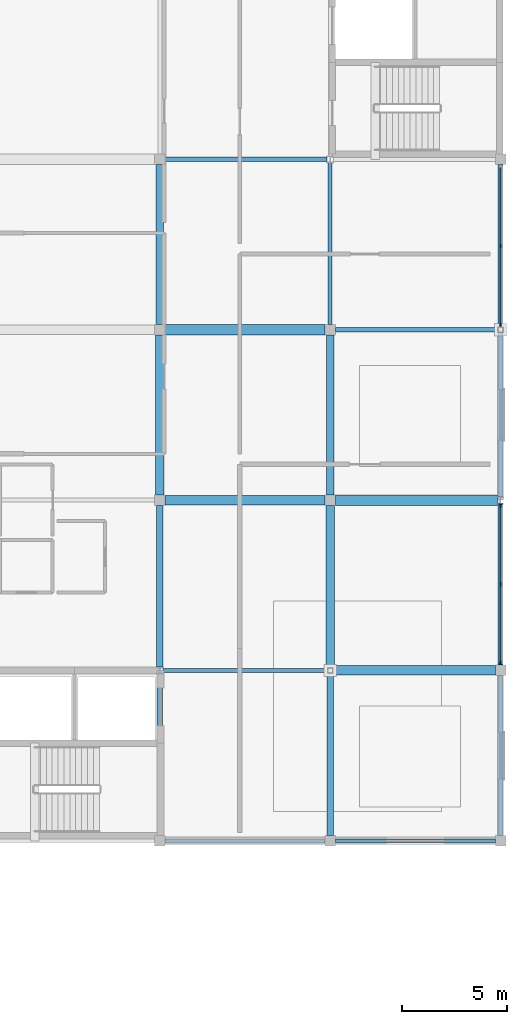
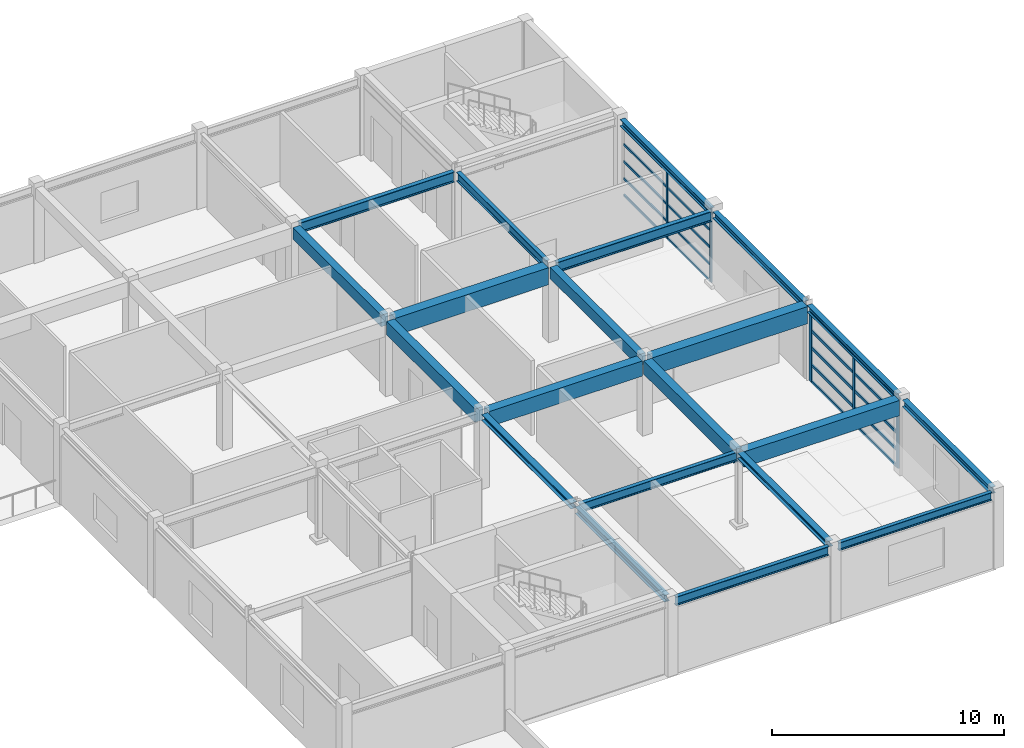
# One storey, part 33 of 54: 25 members, 21 beams, 2 elements without a shape of their own.
"""IFC4 building model written with IfcOpenShell, lengths in metres."""

from ifc_helpers import new_model, si_unit, direction, frame, origin, origin_2d, place, context, subcontext, project, spatial, rectangle, i_section, extrude, material, material_profile, profile_set, type_object, element, aggregate, save


model = new_model("IFC4")

# Units and contexts
model_context = context("Model", 3, precision=1e-05, world=origin(), true_north=direction((0.0, 1.0)))
body_context = subcontext(model_context, "Body", "Model", "MODEL_VIEW")
ifc_project = project(units=[si_unit("LENGTHUNIT", "METRE"), si_unit("AREAUNIT", "SQUARE_METRE"), si_unit("VOLUMEUNIT", "CUBIC_METRE"), si_unit("PLANEANGLEUNIT", "RADIAN"), si_unit("MASSUNIT", "GRAM", prefix="KILO")], contexts=[model_context])

# Site, building, storey
site_placement = place(None, origin())
site = spatial("IfcSite", under=ifc_project, at=site_placement, CompositionType="ELEMENT")
building_placement = place(site_placement, origin())
building = spatial("IfcBuilding", under=site, at=building_placement, Name="Parian Resonance Hall", CompositionType="ELEMENT")
storey_placement = place(building_placement, frame((0.0, 0.0, 15.0)))
storey = spatial("IfcBuildingStorey", under=building, at=storey_placement, Name="L03", CompositionType="ELEMENT", Elevation=15.0)

# Beams
ifc_material_1 = material(Name="Concrete C40/50", Category="concrete")
ifc_material_profile_1 = material_profile(ifc_material_1, rectangle(XDim=0.35009765625, YDim=0.60009765625, at=origin_2d()), Name="RC-BM-350x600")
ifc_profile_set_1 = profile_set([ifc_material_profile_1], Name="Concrete C40/50")
beam_type_1 = type_object("IfcBeamType", Name="BM-RC350x600", PredefinedType="BEAM", material=ifc_profile_set_1)
beam_1_placement = place(storey_placement, frame((129.60009765625, 73.14990234375, 3.64990234375), z_axis=(0.0, 1.0, 0.0), x_axis=(-1.0, 0.0, 0.0)))
element("IfcBeam", 1, at=beam_1_placement, inside=storey, type_object=beam_type_1, Name="GY-L03-0904", PredefinedType="BEAM", context=body_context, shape_type="SweptSolid", body=[
    extrude(rectangle(XDim=0.35009765625, YDim=0.60009765625, at=origin_2d()), origin(), (0.0, 0.0, 1.0), 7.60009765625),
])
beam_2_placement = place(storey_placement, frame((137.699951171875, 65.050048828125, 3.64990234375), z_axis=(0.0, 1.0, 0.0), x_axis=(-1.0, 0.0, 0.0)))
element("IfcBeam", 2, at=beam_2_placement, inside=storey, type_object=beam_type_1, Name="GY-L03-0908", PredefinedType="BEAM", context=body_context, shape_type="SweptSolid", body=[
    extrude(rectangle(XDim=0.35009765625, YDim=0.60009765625, at=origin_2d()), origin(), (0.0, 0.0, 1.0), 7.599853515625),
])
ifc_material_2 = material(Name="Concrete C40/50", Category="concrete")
ifc_material_profile_2 = material_profile(ifc_material_2, rectangle(XDim=0.39990234375, YDim=0.699951171875, at=origin_2d()), Name="RC-BM-400x700")
ifc_profile_set_2 = profile_set([ifc_material_profile_2], Name="Concrete C40/50")
beam_type_2 = type_object("IfcBeamType", Name="BM-RC400x700", PredefinedType="BEAM", material=ifc_profile_set_2)
beam_3_placement = place(storey_placement, frame((129.60009765625, 65.050048828125, 3.60009765625), z_axis=(0.0, 1.0, 0.0), x_axis=(-1.0, 0.0, 0.0)))
element("IfcBeam", 3, at=beam_3_placement, inside=storey, type_object=beam_type_2, Name="GY-L03-0903", PredefinedType="BEAM", context=body_context, shape_type="SweptSolid", body=[
    extrude(rectangle(XDim=0.39990234375, YDim=0.699951171875, at=origin_2d()), origin(), (0.0, 0.0, 1.0), 7.599853515625),
])
beam_4_placement = place(storey_placement, frame((137.699951171875, 56.824951171875, 3.60009765625), z_axis=(0.0, 1.0, 0.0), x_axis=(-1.0, 0.0, 0.0)))
element("IfcBeam", 4, at=beam_4_placement, inside=storey, type_object=beam_type_2, Name="GY-L03-0907", PredefinedType="BEAM", context=body_context, shape_type="SweptSolid", body=[
    extrude(rectangle(XDim=0.39990234375, YDim=0.699951171875, at=origin_2d()), origin(), (0.0, 0.0, 1.0), 7.72509765625),
])
ifc_material_3 = material(Name="Concrete C40/50", Category="concrete")
ifc_material_profile_3 = material_profile(ifc_material_3, rectangle(XDim=0.449951171875, YDim=0.800048828125, at=origin_2d()), Name="RC-BM-450x800")
ifc_profile_set_3 = profile_set([ifc_material_profile_3], Name="Concrete C40/50")
beam_type_3 = type_object("IfcBeamType", Name="BM-RC450x800", PredefinedType="USERDEFINED", material=ifc_profile_set_3)
beam_5_placement = place(storey_placement, frame((129.85009765625, 64.800048828125, 3.550048828125), z_axis=(1.0, 0.0, 0.0), x_axis=(0.0, 1.0, 0.0)))
element("IfcBeam", 5, at=beam_5_placement, inside=storey, type_object=beam_type_3, Name="GX-L03-0854", ObjectType="GIRDER", PredefinedType="USERDEFINED", context=body_context, shape_type="SweptSolid", body=[
    extrude(rectangle(XDim=0.449951171875, YDim=0.800048828125, at=origin_2d()), origin(), (0.0, 0.0, 1.0), 7.599853515625),
])
beam_6_placement = place(storey_placement, frame((137.824951171875, 56.699951171875, 3.550048828125), z_axis=(1.0, 0.0, 0.0), x_axis=(0.0, 1.0, 0.0)))
element("IfcBeam", 6, at=beam_6_placement, inside=storey, type_object=beam_type_3, Name="GX-L03-0859", ObjectType="GIRDER", PredefinedType="USERDEFINED", context=body_context, shape_type="SweptSolid", body=[
    extrude(rectangle(XDim=0.449951171875, YDim=0.800048828125, at=origin_2d()), origin(), (0.0, 0.0, 1.0), 7.72509765625),
])
ifc_material_4 = material(Name="Concrete C40/50", Category="concrete")
ifc_material_profile_4 = material_profile(ifc_material_4, rectangle(XDim=0.5, YDim=0.89990234375, at=origin_2d()), Name="RC-BM-500x900")
ifc_profile_set_4 = profile_set([ifc_material_profile_4], Name="Concrete C40/50")
beam_type_4 = type_object("IfcBeamType", Name="BM-RC500x900", PredefinedType="USERDEFINED", material=ifc_profile_set_4)
beam_7_placement = place(storey_placement, frame((129.85009765625, 72.89990234375, 3.5), z_axis=(1.0, 0.0, 0.0), x_axis=(0.0, 1.0, 0.0)))
element("IfcBeam", 7, at=beam_7_placement, inside=storey, type_object=beam_type_4, Name="GX-L03-0855", ObjectType="GIRDER", PredefinedType="USERDEFINED", context=body_context, shape_type="SweptSolid", body=[
    extrude(rectangle(XDim=0.5, YDim=0.89990234375, at=origin_2d()), origin(), (0.0, 0.0, 1.0), 7.599853515625),
])
beam_8_placement = place(storey_placement, frame((137.949951171875, 64.800048828125, 3.5), z_axis=(1.0, 0.0, 0.0), x_axis=(0.0, 1.0, 0.0)))
element("IfcBeam", 8, at=beam_8_placement, inside=storey, type_object=beam_type_4, Name="GX-L03-0860", ObjectType="GIRDER", PredefinedType="USERDEFINED", context=body_context, shape_type="SweptSolid", body=[
    extrude(rectangle(XDim=0.5, YDim=0.89990234375, at=origin_2d()), origin(), (0.0, 0.0, 1.0), 7.697509765625),
])
ifc_material_5 = material(Name="Steel S355", Category="steel")
ifc_material_profile_5 = material_profile(ifc_material_5, i_section(OverallWidth=0.304931640625, OverallDepth=0.30810546875, WebThickness=0.010009765625, FlangeThickness=0.015380859375, FilletRadius=0.01513671875, at=origin_2d()), Name="W310x97")
ifc_profile_set_5 = profile_set([ifc_material_profile_5], Name="Steel S355")
beam_type_5 = type_object("IfcBeamType", Name="BM-W310x97", PredefinedType="BEAM", material=ifc_profile_set_5)
beam_9_placement = place(storey_placement, frame((129.60009765625, 56.85400390625, 3.7958984375), z_axis=(0.0, 1.0, 0.0), x_axis=(-1.0, 0.0, 0.0)))
element("IfcBeam", 9, at=beam_9_placement, inside=storey, type_object=beam_type_5, Name="GY-L03-0902", PredefinedType="BEAM", context=body_context, shape_type="SweptSolid", body=[
    extrude(i_section(OverallWidth=0.304931640625, OverallDepth=0.30810546875, WebThickness=0.010009765625, FlangeThickness=0.015380859375, FilletRadius=0.01513671875, at=origin_2d()), origin(), (0.0, 0.0, 1.0), 7.696044921875),
])
beam_10_placement = place(storey_placement, frame((137.699951171875, 48.85009765625, 3.7958984375), z_axis=(0.0, 1.0, 0.0), x_axis=(-1.0, 0.0, 0.0)))
element("IfcBeam", 10, at=beam_10_placement, inside=storey, type_object=beam_type_5, Name="GY-L03-0906", PredefinedType="BEAM", context=body_context, shape_type="SweptSolid", body=[
    extrude(i_section(OverallWidth=0.304931640625, OverallDepth=0.30810546875, WebThickness=0.010009765625, FlangeThickness=0.015380859375, FilletRadius=0.01513671875, at=origin_2d()), origin(), (0.0, 0.0, 1.0), 7.724853515625),
])
ifc_material_6 = material(Name="Steel S355", Category="steel")
ifc_material_profile_6 = material_profile(ifc_material_6, i_section(OverallWidth=0.2548828125, OverallDepth=0.35693359375, WebThickness=0.010498046875, FlangeThickness=0.018310546875, FilletRadius=0.01513671875, at=origin_2d()), Name="W360x101")
ifc_profile_set_6 = profile_set([ifc_material_profile_6], Name="Steel S355")
beam_type_6 = type_object("IfcBeamType", Name="BM-W360x101", PredefinedType="SPANDREL", material=ifc_profile_set_6)
beam_11_placement = place(storey_placement, frame((129.60009765625, 48.85009765625, 3.771484375), z_axis=(0.0, 1.0, 0.0), x_axis=(-1.0, 0.0, 0.0)))
element("IfcBeam", 11, at=beam_11_placement, inside=storey, type_object=beam_type_6, Name="GY-L03-0901", PredefinedType="SPANDREL", context=body_context, shape_type="SweptSolid", body=[
    extrude(i_section(OverallWidth=0.2548828125, OverallDepth=0.35693359375, WebThickness=0.010498046875, FlangeThickness=0.018310546875, FilletRadius=0.01513671875, at=origin_2d()), origin(), (0.0, 0.0, 1.0), 7.69580078125),
])
beam_12_placement = place(storey_placement, frame((145.800048828125, 48.85009765625, 3.771484375), z_axis=(0.0, 1.0, 0.0), x_axis=(-1.0, 0.0, 0.0)))
element("IfcBeam", 12, at=beam_12_placement, inside=storey, type_object=beam_type_6, Name="GY-L03-0911", PredefinedType="SPANDREL", context=body_context, shape_type="SweptSolid", body=[
    extrude(i_section(OverallWidth=0.2548828125, OverallDepth=0.35693359375, WebThickness=0.010498046875, FlangeThickness=0.018310546875, FilletRadius=0.01513671875, at=origin_2d()), origin(), (0.0, 0.0, 1.0), 7.599853515625),
])
beam_13_placement = place(storey_placement, frame((145.800048828125, 56.949951171875, 3.771484375), z_axis=(0.0, 1.0, 0.0), x_axis=(-1.0, 0.0, 0.0)))
element("IfcBeam", 13, at=beam_13_placement, inside=storey, type_object=beam_type_6, Name="GY-L03-0912", PredefinedType="SPANDREL", context=body_context, shape_type="SweptSolid", body=[
    extrude(i_section(OverallWidth=0.2548828125, OverallDepth=0.35693359375, WebThickness=0.010498046875, FlangeThickness=0.018310546875, FilletRadius=0.01513671875, at=origin_2d()), origin(), (0.0, 0.0, 1.0), 7.696044921875),
])
beam_14_placement = place(storey_placement, frame((145.800048828125, 64.9541015625, 3.771484375), z_axis=(0.0, 1.0, 0.0), x_axis=(-1.0, 0.0, 0.0)))
element("IfcBeam", 14, at=beam_14_placement, inside=storey, type_object=beam_type_6, Name="GY-L03-0913", PredefinedType="SPANDREL", context=body_context, shape_type="SweptSolid", body=[
    extrude(i_section(OverallWidth=0.2548828125, OverallDepth=0.35693359375, WebThickness=0.010498046875, FlangeThickness=0.018310546875, FilletRadius=0.01513671875, at=origin_2d()), origin(), (0.0, 0.0, 1.0), 7.82080078125),
])
beam_15_placement = place(storey_placement, frame((145.800048828125, 73.02490234375, 3.771484375), z_axis=(0.0, 1.0, 0.0), x_axis=(-1.0, 0.0, 0.0)))
element("IfcBeam", 15, at=beam_15_placement, inside=storey, type_object=beam_type_6, Name="GY-L03-0914", PredefinedType="SPANDREL", context=body_context, shape_type="SweptSolid", body=[
    extrude(i_section(OverallWidth=0.2548828125, OverallDepth=0.35693359375, WebThickness=0.010498046875, FlangeThickness=0.018310546875, FilletRadius=0.01513671875, at=origin_2d()), origin(), (0.0, 0.0, 1.0), 7.72509765625),
])
ifc_material_7 = material(Name="Steel S355", Category="steel")
ifc_material_profile_7 = material_profile(ifc_material_7, i_section(OverallWidth=0.180908203125, OverallDepth=0.4169921875, WebThickness=0.010986328125, FlangeThickness=0.018310546875, FilletRadius=0.01513671875, at=origin_2d()), Name="W410x85")
ifc_profile_set_7 = profile_set([ifc_material_profile_7], Name="Steel S355")
beam_type_7 = type_object("IfcBeamType", Name="BM-W410x85", PredefinedType="SPANDREL", material=ifc_profile_set_7)
beam_16_placement = place(storey_placement, frame((137.949951171875, 48.60009765625, 3.741455078125), z_axis=(1.0, 0.0, 0.0), x_axis=(0.0, 1.0, 0.0)))
element("IfcBeam", 16, at=beam_16_placement, inside=storey, type_object=beam_type_7, Name="GX-L03-0858", PredefinedType="SPANDREL", context=body_context, shape_type="SweptSolid", body=[
    extrude(i_section(OverallWidth=0.180908203125, OverallDepth=0.4169921875, WebThickness=0.010986328125, FlangeThickness=0.018310546875, FilletRadius=0.01513671875, at=origin_2d()), origin(), (0.0, 0.0, 1.0), 7.60009765625),
])
ifc_material_8 = material(Name="Steel S355", Category="steel")
ifc_material_profile_8 = material_profile(ifc_material_8, i_section(OverallWidth=0.194091796875, OverallDepth=0.468994140625, WebThickness=0.0126953125, FlangeThickness=0.0205078125, FilletRadius=0.01513671875, at=origin_2d()), Name="W460x106")
ifc_profile_set_8 = profile_set([ifc_material_profile_8], Name="Steel S355")
beam_type_8 = type_object("IfcBeamType", Name="BM-W460x106", PredefinedType="SPANDREL", material=ifc_profile_set_8)
beam_17_placement = place(storey_placement, frame((129.85009765625, 48.60009765625, 3.715576171875), z_axis=(1.0, 0.0, 0.0), x_axis=(0.0, 1.0, 0.0)))
element("IfcBeam", 17, at=beam_17_placement, inside=storey, type_object=beam_type_8, Name="GX-L03-0852", PredefinedType="SPANDREL", context=body_context, shape_type="SweptSolid", body=[
    extrude(i_section(OverallWidth=0.194091796875, OverallDepth=0.468994140625, WebThickness=0.0126953125, FlangeThickness=0.0205078125, FilletRadius=0.01513671875, at=origin_2d()), origin(), (0.0, 0.0, 1.0), 7.599853515625),
])
beam_18_placement = place(storey_placement, frame((137.699951171875, 73.14990234375, 3.715576171875), z_axis=(0.0, 1.0, 0.0), x_axis=(-1.0, 0.0, 0.0)))
element("IfcBeam", 18, at=beam_18_placement, inside=storey, type_object=beam_type_8, Name="GY-L03-0909", PredefinedType="SPANDREL", context=body_context, shape_type="SweptSolid", body=[
    extrude(i_section(OverallWidth=0.194091796875, OverallDepth=0.468994140625, WebThickness=0.0126953125, FlangeThickness=0.0205078125, FilletRadius=0.01513671875, at=origin_2d()), origin(), (0.0, 0.0, 1.0), 7.696044921875),
])
ifc_material_9 = material(Name="Steel S355", Category="steel")
ifc_material_profile_9 = material_profile(ifc_material_9, i_section(OverallWidth=0.19091796875, OverallDepth=0.4599609375, WebThickness=0.010009765625, FlangeThickness=0.01611328125, FilletRadius=0.01513671875, at=origin_2d()), Name="W460x82")
ifc_profile_set_9 = profile_set([ifc_material_profile_9], Name="Steel S355")
beam_type_9 = type_object("IfcBeamType", Name="BM-W460x82", PredefinedType="BEAM", material=ifc_profile_set_9)
beam_19_placement = place(storey_placement, frame((129.75244140625, 56.699951171875, 3.719970703125), z_axis=(1.0, 0.0, 0.0), x_axis=(0.0, 1.0, 0.0)))
element("IfcBeam", 19, at=beam_19_placement, inside=storey, type_object=beam_type_9, Name="GX-L03-0853", PredefinedType="BEAM", context=body_context, shape_type="SweptSolid", body=[
    extrude(i_section(OverallWidth=0.19091796875, OverallDepth=0.4599609375, WebThickness=0.010009765625, FlangeThickness=0.01611328125, FilletRadius=0.01513671875, at=origin_2d()), origin(), (0.0, 0.0, 1.0), 7.822509765625),
])
ifc_material_10 = material(Name="Steel S355", Category="steel")
ifc_material_profile_10 = material_profile(ifc_material_10, i_section(OverallWidth=0.2119140625, OverallDepth=0.5439453125, WebThickness=0.01318359375, FlangeThickness=0.021240234375, FilletRadius=0.017822265625, at=origin_2d()), Name="W530x123")
ifc_profile_set_10 = profile_set([ifc_material_profile_10], Name="Steel S355")
beam_type_10 = type_object("IfcBeamType", Name="BM-W530x123", PredefinedType="USERDEFINED", material=ifc_profile_set_10)
beam_20_placement = place(storey_placement, frame((129.85009765625, 81.0, 3.677978515625), z_axis=(1.0, 0.0, 0.0), x_axis=(0.0, 1.0, 0.0)))
element("IfcBeam", 20, at=beam_20_placement, inside=storey, type_object=beam_type_10, Name="GX-L03-0856", ObjectType="GIRDER", PredefinedType="USERDEFINED", context=body_context, shape_type="SweptSolid", body=[
    extrude(i_section(OverallWidth=0.2119140625, OverallDepth=0.5439453125, WebThickness=0.01318359375, FlangeThickness=0.021240234375, FilletRadius=0.017822265625, at=origin_2d()), origin(), (0.0, 0.0, 1.0), 7.697509765625),
])
beam_21_placement = place(storey_placement, frame((137.949951171875, 72.89990234375, 3.677978515625), z_axis=(1.0, 0.0, 0.0), x_axis=(0.0, 1.0, 0.0)))
element("IfcBeam", 21, at=beam_21_placement, inside=storey, type_object=beam_type_10, Name="GX-L03-0861", ObjectType="GIRDER", PredefinedType="USERDEFINED", context=body_context, shape_type="SweptSolid", body=[
    extrude(i_section(OverallWidth=0.2119140625, OverallDepth=0.5439453125, WebThickness=0.01318359375, FlangeThickness=0.021240234375, FilletRadius=0.017822265625, at=origin_2d()), origin(), (0.0, 0.0, 1.0), 7.72509765625),
])

# Curtain wall, members
ifc_material_11 = material(Name="Bronze-anodised aluminium frame", Category="aluminium")
curtain_wall_type_1 = type_object("IfcCurtainWallType", Name="CW-SYS-04", PredefinedType="NOTDEFINED", material=ifc_material_11)
curtain_wall_1_placement = place(storey_placement, origin())
curtain_wall_1 = element("IfcCurtainWall", 22, at=curtain_wall_1_placement, inside=storey, type_object=curtain_wall_type_1, Name="Curtain wall CW-L03-149", PredefinedType="NOTDEFINED")
ifc_material_12 = material(Name="Bronze-anodised aluminium frame", Category="aluminium")
ifc_material_profile_11 = material_profile(ifc_material_12, rectangle(XDim=0.06494140625, YDim=0.159912109375, at=origin_2d()), Name="CWM-65x160")
ifc_profile_set_11 = profile_set([ifc_material_profile_11], Name="Bronze-anodised aluminium frame")
member_type_1 = type_object("IfcMemberType", Name="CWM-65x160", PredefinedType="MULLION", material=ifc_profile_set_11)
member_1_placement = place(storey_placement, frame((145.800048828125, 76.887451171875, -0.008056640625), z_axis=(0.0, 0.0, 1.0), x_axis=(1.0, 0.0, 0.0)))
member_1 = element("IfcMember", 23, at=member_1_placement, type_object=member_type_1, Name="CW-04 mullion 2", PredefinedType="MULLION", context=body_context, shape_type="SweptSolid", body=[
    extrude(rectangle(XDim=0.06494140625, YDim=0.159912109375, at=origin_2d()), origin(), (0.0, 0.0, 1.0), 3.60498046875),
])
member_2_placement = place(storey_placement, frame((145.800048828125, 73.137451171875, -0.008056640625), z_axis=(0.0, 0.0, 1.0), x_axis=(1.0, 0.0, 0.0)))
member_2 = element("IfcMember", 24, at=member_2_placement, type_object=member_type_1, Name="CW-04 mullion 3", PredefinedType="MULLION", context=body_context, shape_type="SweptSolid", body=[
    extrude(rectangle(XDim=0.06494140625, YDim=0.159912109375, at=origin_2d()), origin(), (0.0, 0.0, 1.0), 3.60498046875),
])

ifc_material_13 = material(Name="Bronze-anodised aluminium frame", Category="aluminium")
curtain_wall_type_2 = type_object("IfcCurtainWallType", Name="CW-SYS-02", PredefinedType="NOTDEFINED", material=ifc_material_13)
curtain_wall_2_placement = place(storey_placement, origin())
curtain_wall_2 = element("IfcCurtainWall", 25, at=curtain_wall_2_placement, inside=storey, type_object=curtain_wall_type_2, Name="Curtain wall CW-L03-148", PredefinedType="NOTDEFINED")
ifc_material_14 = material(Name="Bronze-anodised aluminium frame", Category="aluminium")
ifc_material_profile_12 = material_profile(ifc_material_14, rectangle(XDim=0.074951171875, YDim=0.199951171875, at=origin_2d()), Name="CWM-75x200")
ifc_profile_set_12 = profile_set([ifc_material_profile_12], Name="Bronze-anodised aluminium frame")
member_type_2 = type_object("IfcMemberType", Name="CWM-75x200", PredefinedType="MULLION", material=ifc_profile_set_12)
member_3_placement = place(storey_placement, frame((145.800048828125, 64.528564453125, -0.008056640625), z_axis=(0.0, 0.0, 1.0), x_axis=(1.0, 0.0, 0.0)))
member_3 = element("IfcMember", 26, at=member_3_placement, type_object=member_type_2, Name="CW-02 mullion 1", PredefinedType="MULLION", context=body_context, shape_type="SweptSolid", body=[
    extrude(rectangle(XDim=0.074951171875, YDim=0.199951171875, at=origin_2d()), origin(), (0.0, 0.0, 1.0), 3.60498046875),
])
member_4_placement = place(storey_placement, frame((145.800048828125, 60.798095703125, -0.008056640625), z_axis=(0.0, 0.0, 1.0), x_axis=(1.0, 0.0, 0.0)))
member_4 = element("IfcMember", 27, at=member_4_placement, type_object=member_type_2, Name="CW-02 mullion 2", PredefinedType="MULLION", context=body_context, shape_type="SweptSolid", body=[
    extrude(rectangle(XDim=0.074951171875, YDim=0.199951171875, at=origin_2d()), origin(), (0.0, 0.0, 1.0), 3.60498046875),
])
member_5_placement = place(storey_placement, frame((145.800048828125, 57.0673828125, -0.008056640625), z_axis=(0.0, 0.0, 1.0), x_axis=(1.0, 0.0, 0.0)))
member_5 = element("IfcMember", 28, at=member_5_placement, type_object=member_type_2, Name="CW-02 mullion 3", PredefinedType="MULLION", context=body_context, shape_type="SweptSolid", body=[
    extrude(rectangle(XDim=0.074951171875, YDim=0.199951171875, at=origin_2d()), origin(), (0.0, 0.0, 1.0), 3.60498046875),
])

# Member
ifc_material_15 = material(Name="Bronze-anodised aluminium frame", Category="aluminium")
ifc_material_profile_13 = material_profile(ifc_material_15, rectangle(XDim=0.06494140625, YDim=0.1201171875, at=origin_2d()), Name="CWT-65x120")
ifc_profile_set_13 = profile_set([ifc_material_profile_13], Name="Bronze-anodised aluminium frame")
member_type_3 = type_object("IfcMemberType", Name="CWT-65x120", PredefinedType="USERDEFINED", material=ifc_profile_set_13)
member_6_placement = place(storey_placement, frame((145.800048828125, 80.60498046875, 0.0244140625), z_axis=(0.0, -1.0, 0.0), x_axis=(1.0, 0.0, 0.0)))
member_6 = element("IfcMember", 29, at=member_6_placement, type_object=member_type_3, Name="CW-04 transom 1.1", ObjectType="TRANSOM", PredefinedType="USERDEFINED", context=body_context, shape_type="SweptSolid", body=[
    extrude(rectangle(XDim=0.06494140625, YDim=0.1201171875, at=origin_2d()), origin(), (0.0, 0.0, 1.0), 3.68505859375),
])

member_7_placement = place(storey_placement, frame((145.800048828125, 80.60498046875, 0.896728515625), z_axis=(0.0, -1.0, 0.0), x_axis=(1.0, 0.0, 0.0)))
member_7 = element("IfcMember", 30, at=member_7_placement, type_object=member_type_3, Name="CW-04 transom 1.2", ObjectType="TRANSOM", PredefinedType="USERDEFINED", context=body_context, shape_type="SweptSolid", body=[
    extrude(rectangle(XDim=0.06494140625, YDim=0.1201171875, at=origin_2d()), origin(), (0.0, 0.0, 1.0), 3.68505859375),
])

member_8_placement = place(storey_placement, frame((145.800048828125, 80.60498046875, 1.79345703125), z_axis=(0.0, -1.0, 0.0), x_axis=(1.0, 0.0, 0.0)))
member_8 = element("IfcMember", 31, at=member_8_placement, type_object=member_type_3, Name="CW-04 transom 1.3", ObjectType="TRANSOM", PredefinedType="USERDEFINED", context=body_context, shape_type="SweptSolid", body=[
    extrude(rectangle(XDim=0.06494140625, YDim=0.1201171875, at=origin_2d()), origin(), (0.0, 0.0, 1.0), 3.68505859375),
])

member_9_placement = place(storey_placement, frame((145.800048828125, 80.60498046875, 2.690185546875), z_axis=(0.0, -1.0, 0.0), x_axis=(1.0, 0.0, 0.0)))
member_9 = element("IfcMember", 32, at=member_9_placement, type_object=member_type_3, Name="CW-04 transom 1.4", ObjectType="TRANSOM", PredefinedType="USERDEFINED", context=body_context, shape_type="SweptSolid", body=[
    extrude(rectangle(XDim=0.06494140625, YDim=0.1201171875, at=origin_2d()), origin(), (0.0, 0.0, 1.0), 3.68505859375),
])

member_10_placement = place(storey_placement, frame((145.800048828125, 80.60498046875, 3.564453125), z_axis=(0.0, -1.0, 0.0), x_axis=(1.0, 0.0, 0.0)))
member_10 = element("IfcMember", 33, at=member_10_placement, type_object=member_type_3, Name="CW-04 transom 1.5", ObjectType="TRANSOM", PredefinedType="USERDEFINED", context=body_context, shape_type="SweptSolid", body=[
    extrude(rectangle(XDim=0.06494140625, YDim=0.1201171875, at=origin_2d()), origin(), (0.0, 0.0, 1.0), 3.68505859375),
])

member_11_placement = place(storey_placement, frame((145.800048828125, 76.85498046875, 0.0244140625), z_axis=(0.0, -1.0, 0.0), x_axis=(1.0, 0.0, 0.0)))
member_11 = element("IfcMember", 34, at=member_11_placement, type_object=member_type_3, Name="CW-04 transom 2.1", ObjectType="TRANSOM", PredefinedType="USERDEFINED", context=body_context, shape_type="SweptSolid", body=[
    extrude(rectangle(XDim=0.06494140625, YDim=0.1201171875, at=origin_2d()), origin(), (0.0, 0.0, 1.0), 3.68505859375),
])

member_12_placement = place(storey_placement, frame((145.800048828125, 76.85498046875, 0.896728515625), z_axis=(0.0, -1.0, 0.0), x_axis=(1.0, 0.0, 0.0)))
member_12 = element("IfcMember", 35, at=member_12_placement, type_object=member_type_3, Name="CW-04 transom 2.2", ObjectType="TRANSOM", PredefinedType="USERDEFINED", context=body_context, shape_type="SweptSolid", body=[
    extrude(rectangle(XDim=0.06494140625, YDim=0.1201171875, at=origin_2d()), origin(), (0.0, 0.0, 1.0), 3.68505859375),
])

member_13_placement = place(storey_placement, frame((145.800048828125, 76.85498046875, 1.79345703125), z_axis=(0.0, -1.0, 0.0), x_axis=(1.0, 0.0, 0.0)))
member_13 = element("IfcMember", 36, at=member_13_placement, type_object=member_type_3, Name="CW-04 transom 2.3", ObjectType="TRANSOM", PredefinedType="USERDEFINED", context=body_context, shape_type="SweptSolid", body=[
    extrude(rectangle(XDim=0.06494140625, YDim=0.1201171875, at=origin_2d()), origin(), (0.0, 0.0, 1.0), 3.68505859375),
])

member_14_placement = place(storey_placement, frame((145.800048828125, 76.85498046875, 2.690185546875), z_axis=(0.0, -1.0, 0.0), x_axis=(1.0, 0.0, 0.0)))
member_14 = element("IfcMember", 37, at=member_14_placement, type_object=member_type_3, Name="CW-04 transom 2.4", ObjectType="TRANSOM", PredefinedType="USERDEFINED", context=body_context, shape_type="SweptSolid", body=[
    extrude(rectangle(XDim=0.06494140625, YDim=0.1201171875, at=origin_2d()), origin(), (0.0, 0.0, 1.0), 3.68505859375),
])

member_15_placement = place(storey_placement, frame((145.800048828125, 76.85498046875, 3.564453125), z_axis=(0.0, -1.0, 0.0), x_axis=(1.0, 0.0, 0.0)))
member_15 = element("IfcMember", 38, at=member_15_placement, type_object=member_type_3, Name="CW-04 transom 2.5", ObjectType="TRANSOM", PredefinedType="USERDEFINED", context=body_context, shape_type="SweptSolid", body=[
    extrude(rectangle(XDim=0.06494140625, YDim=0.1201171875, at=origin_2d()), origin(), (0.0, 0.0, 1.0), 3.68505859375),
])

aggregate(curtain_wall_1, [member_1, member_2, member_6, member_7, member_8, member_9, member_10, member_11, member_12, member_13, member_14, member_15])

ifc_material_16 = material(Name="Bronze-anodised aluminium frame", Category="aluminium")
ifc_material_profile_14 = material_profile(ifc_material_16, rectangle(XDim=0.074951171875, YDim=0.14990234375, at=origin_2d()), Name="CWT-75x150")
ifc_profile_set_14 = profile_set([ifc_material_profile_14], Name="Bronze-anodised aluminium frame")
member_type_4 = type_object("IfcMemberType", Name="CWT-75x150", PredefinedType="USERDEFINED", material=ifc_profile_set_14)
member_16_placement = place(storey_placement, frame((145.800048828125, 64.490966796875, 0.029541015625), z_axis=(0.0, -1.0, 0.0), x_axis=(1.0, 0.0, 0.0)))
member_16 = element("IfcMember", 39, at=member_16_placement, type_object=member_type_4, Name="CW-02 transom 1.1", ObjectType="TRANSOM", PredefinedType="USERDEFINED", context=body_context, shape_type="SweptSolid", body=[
    extrude(rectangle(XDim=0.074951171875, YDim=0.14990234375, at=origin_2d()), origin(), (0.0, 0.0, 1.0), 3.655517578125),
])

member_17_placement = place(storey_placement, frame((145.800048828125, 64.490966796875, 0.896728515625), z_axis=(0.0, -1.0, 0.0), x_axis=(1.0, 0.0, 0.0)))
member_17 = element("IfcMember", 40, at=member_17_placement, type_object=member_type_4, Name="CW-02 transom 1.2", ObjectType="TRANSOM", PredefinedType="USERDEFINED", context=body_context, shape_type="SweptSolid", body=[
    extrude(rectangle(XDim=0.074951171875, YDim=0.14990234375, at=origin_2d()), origin(), (0.0, 0.0, 1.0), 3.655517578125),
])

member_18_placement = place(storey_placement, frame((145.800048828125, 64.490966796875, 1.79345703125), z_axis=(0.0, -1.0, 0.0), x_axis=(1.0, 0.0, 0.0)))
member_18 = element("IfcMember", 41, at=member_18_placement, type_object=member_type_4, Name="CW-02 transom 1.3", ObjectType="TRANSOM", PredefinedType="USERDEFINED", context=body_context, shape_type="SweptSolid", body=[
    extrude(rectangle(XDim=0.074951171875, YDim=0.14990234375, at=origin_2d()), origin(), (0.0, 0.0, 1.0), 3.655517578125),
])

member_19_placement = place(storey_placement, frame((145.800048828125, 64.490966796875, 2.690185546875), z_axis=(0.0, -1.0, 0.0), x_axis=(1.0, 0.0, 0.0)))
member_19 = element("IfcMember", 42, at=member_19_placement, type_object=member_type_4, Name="CW-02 transom 1.4", ObjectType="TRANSOM", PredefinedType="USERDEFINED", context=body_context, shape_type="SweptSolid", body=[
    extrude(rectangle(XDim=0.074951171875, YDim=0.14990234375, at=origin_2d()), origin(), (0.0, 0.0, 1.0), 3.655517578125),
])

member_20_placement = place(storey_placement, frame((145.800048828125, 64.490966796875, 3.5595703125), z_axis=(0.0, -1.0, 0.0), x_axis=(1.0, 0.0, 0.0)))
member_20 = element("IfcMember", 43, at=member_20_placement, type_object=member_type_4, Name="CW-02 transom 1.5", ObjectType="TRANSOM", PredefinedType="USERDEFINED", context=body_context, shape_type="SweptSolid", body=[
    extrude(rectangle(XDim=0.074951171875, YDim=0.14990234375, at=origin_2d()), origin(), (0.0, 0.0, 1.0), 3.655517578125),
])

member_21_placement = place(storey_placement, frame((145.800048828125, 60.760498046875, 0.029541015625), z_axis=(0.0, -1.0, 0.0), x_axis=(1.0, 0.0, 0.0)))
member_21 = element("IfcMember", 44, at=member_21_placement, type_object=member_type_4, Name="CW-02 transom 2.1", ObjectType="TRANSOM", PredefinedType="USERDEFINED", context=body_context, shape_type="SweptSolid", body=[
    extrude(rectangle(XDim=0.074951171875, YDim=0.14990234375, at=origin_2d()), origin(), (0.0, 0.0, 1.0), 3.655517578125),
])

member_22_placement = place(storey_placement, frame((145.800048828125, 60.760498046875, 0.896728515625), z_axis=(0.0, -1.0, 0.0), x_axis=(1.0, 0.0, 0.0)))
member_22 = element("IfcMember", 45, at=member_22_placement, type_object=member_type_4, Name="CW-02 transom 2.2", ObjectType="TRANSOM", PredefinedType="USERDEFINED", context=body_context, shape_type="SweptSolid", body=[
    extrude(rectangle(XDim=0.074951171875, YDim=0.14990234375, at=origin_2d()), origin(), (0.0, 0.0, 1.0), 3.655517578125),
])

member_23_placement = place(storey_placement, frame((145.800048828125, 60.760498046875, 1.79345703125), z_axis=(0.0, -1.0, 0.0), x_axis=(1.0, 0.0, 0.0)))
member_23 = element("IfcMember", 46, at=member_23_placement, type_object=member_type_4, Name="CW-02 transom 2.3", ObjectType="TRANSOM", PredefinedType="USERDEFINED", context=body_context, shape_type="SweptSolid", body=[
    extrude(rectangle(XDim=0.074951171875, YDim=0.14990234375, at=origin_2d()), origin(), (0.0, 0.0, 1.0), 3.655517578125),
])

member_24_placement = place(storey_placement, frame((145.800048828125, 60.760498046875, 2.690185546875), z_axis=(0.0, -1.0, 0.0), x_axis=(1.0, 0.0, 0.0)))
member_24 = element("IfcMember", 47, at=member_24_placement, type_object=member_type_4, Name="CW-02 transom 2.4", ObjectType="TRANSOM", PredefinedType="USERDEFINED", context=body_context, shape_type="SweptSolid", body=[
    extrude(rectangle(XDim=0.074951171875, YDim=0.14990234375, at=origin_2d()), origin(), (0.0, 0.0, 1.0), 3.655517578125),
])

member_25_placement = place(storey_placement, frame((145.800048828125, 60.760498046875, 3.5595703125), z_axis=(0.0, -1.0, 0.0), x_axis=(1.0, 0.0, 0.0)))
member_25 = element("IfcMember", 48, at=member_25_placement, type_object=member_type_4, Name="CW-02 transom 2.5", ObjectType="TRANSOM", PredefinedType="USERDEFINED", context=body_context, shape_type="SweptSolid", body=[
    extrude(rectangle(XDim=0.074951171875, YDim=0.14990234375, at=origin_2d()), origin(), (0.0, 0.0, 1.0), 3.655517578125),
])

aggregate(curtain_wall_2, [member_3, member_4, member_5, member_16, member_17, member_18, member_19, member_20, member_21, member_22, member_23, member_24, member_25])

save(model, "model.ifc")
